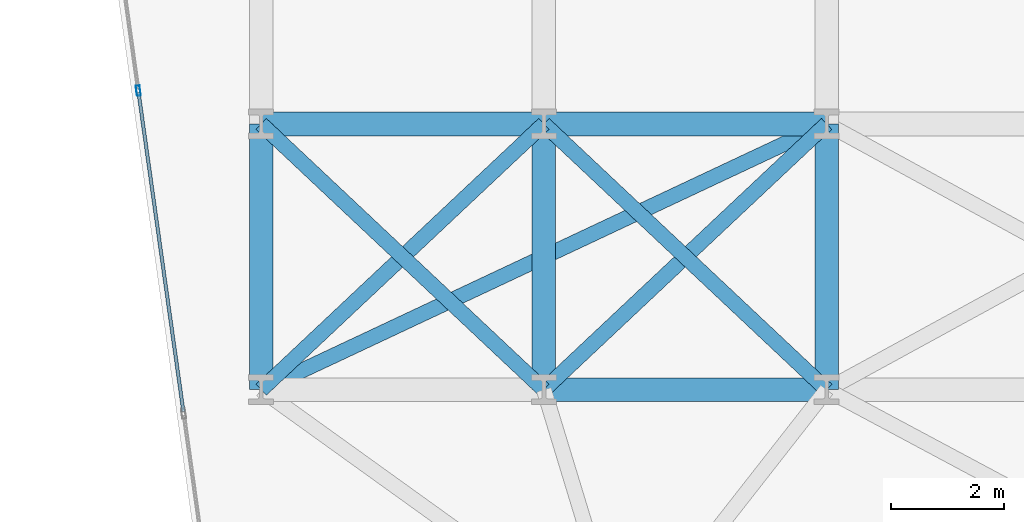
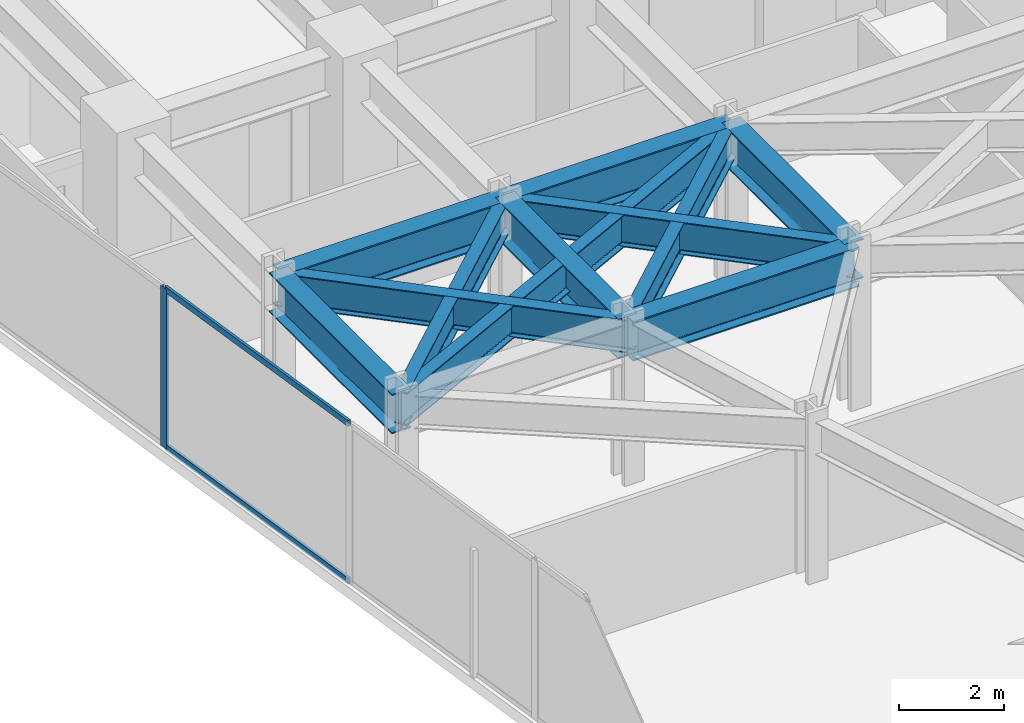
# One storey, part 8 of 24: 11 beams, 3 members, 1 element without a shape of its own.
"""IFC4 building model written with IfcOpenShell, lengths in metres."""

from ifc_helpers import new_model, si_unit, direction, frame, origin, origin_2d, place, context, subcontext, project, spatial, hollow_rectangle, i_section, extrude, material, layer, layer_set, material_profile, profile_set, type_object, element, aggregate, save


model = new_model("IFC4")

# Units and contexts
model_context = context("Model", 3, precision=1e-05, world=origin(), true_north=direction((0.0, 1.0)))
body_context = subcontext(model_context, "Body", "Model", "MODEL_VIEW")
ifc_project = project(units=[si_unit("LENGTHUNIT", "METRE"), si_unit("AREAUNIT", "SQUARE_METRE"), si_unit("VOLUMEUNIT", "CUBIC_METRE"), si_unit("PLANEANGLEUNIT", "RADIAN"), si_unit("MASSUNIT", "GRAM", prefix="KILO")], contexts=[model_context])

# Site, building, storey
site_placement = place(None, origin())
site = spatial("IfcSite", under=ifc_project, at=site_placement, CompositionType="ELEMENT")
building_placement = place(site_placement, origin())
building = spatial("IfcBuilding", under=site, at=building_placement, Name="Kravanh Interchange Tower", CompositionType="ELEMENT")
storey_placement = place(building_placement, frame((0.0, 0.0, 45.5)))
storey = spatial("IfcBuildingStorey", under=building, at=storey_placement, Name="L10", CompositionType="ELEMENT", Elevation=45.5)

# Curtain wall, members
ifc_material_1 = material(Name="Anodised Bronze Aluminium", Category="aluminium")
ifc_layer = layer(ifc_material_1, 0.179931640625)
ifc_layer_set = layer_set([ifc_layer], Name="Unitised Curtain Wall System CW-Z1 Lower Office")
curtain_wall_type = type_object("IfcCurtainWallType", Name="Unitised Curtain Wall System CW-Z1 Lower Office", PredefinedType="NOTDEFINED", material=ifc_layer_set)
curtain_wall_placement = place(storey_placement, origin())
curtain_wall = element("IfcCurtainWall", 1, at=curtain_wall_placement, inside=storey, type_object=curtain_wall_type, Name="L10 Unitised Curtain Wall CW-L10-01", PredefinedType="NOTDEFINED")
ifc_material_2 = material(Name="Anodised Bronze Aluminium", Category="aluminium")
ifc_material_profile_1 = material_profile(ifc_material_2, hollow_rectangle(XDim=0.070068359375, YDim=0.179931640625, WallThickness=0.00390625, at=origin_2d()), Name="ALU70X180X4")
ifc_profile_set_1 = profile_set([ifc_material_profile_1], Name="Anodised Bronze Aluminium")
member_type_1 = type_object("IfcMemberType", Name="Curtain Wall Mullion ALU70X180X4 Bronze", PredefinedType="MULLION", material=ifc_profile_set_1)
member_1_placement = place(storey_placement, frame((6.427490234375, 32.08935546875, 0.0), z_axis=(0.0, 0.0, 1.0), x_axis=(-0.990267585682, -0.139176538065, 0.0)))
member_1 = element("IfcMember", 2, at=member_1_placement, type_object=member_type_1, Name="CW-Z1 mullion 6", PredefinedType="MULLION", context=body_context, shape_type="SweptSolid", body=[
    extrude(hollow_rectangle(XDim=0.070068359375, YDim=0.179931640625, WallThickness=0.00390625, at=origin_2d()), origin(), (0.0, 0.0, 1.0), 3.739990234375),
])
ifc_material_3 = material(Name="Anodised Bronze Aluminium", Category="aluminium")
ifc_material_profile_2 = material_profile(ifc_material_3, hollow_rectangle(XDim=0.06005859375, YDim=0.139892578125, WallThickness=0.00390625, at=origin_2d()), Name="ALU60X140X4")
ifc_profile_set_2 = profile_set([ifc_material_profile_2], Name="Anodised Bronze Aluminium")
member_type_2 = type_object("IfcMemberType", Name="Curtain Wall Transom ALU60X140X4 Bronze", PredefinedType="USERDEFINED", material=ifc_profile_set_2)
member_2_placement = place(storey_placement, frame((7.22509765625, 26.41357421875, 0.030029296875), z_axis=(-0.139158957544, 0.990270056366, 0.0), x_axis=(-0.990270056366, -0.139158957544, 0.0)))
member_2 = element("IfcMember", 3, at=member_2_placement, type_object=member_type_2, Name="CW-Z1 transom 5.1", ObjectType="TRANSOM", PredefinedType="USERDEFINED", context=body_context, shape_type="SweptSolid", body=[
    extrude(hollow_rectangle(XDim=0.06005859375, YDim=0.139892578125, WallThickness=0.00390625, at=origin_2d()), origin(), (0.0, 0.0, 1.0), 5.696533203125),
])
member_3_placement = place(storey_placement, frame((7.22509765625, 26.41357421875, 3.7099609375), z_axis=(-0.139158957544, 0.990270056366, 0.0), x_axis=(-0.990270056366, -0.139158957544, 0.0)))
member_3 = element("IfcMember", 4, at=member_3_placement, type_object=member_type_2, Name="CW-Z1 transom 5.2", ObjectType="TRANSOM", PredefinedType="USERDEFINED", context=body_context, shape_type="SweptSolid", body=[
    extrude(hollow_rectangle(XDim=0.06005859375, YDim=0.139892578125, WallThickness=0.00390625, at=origin_2d()), origin(), (0.0, 0.0, 1.0), 5.696533203125),
])
aggregate(curtain_wall, [member_1, member_2, member_3])

# Beams
ifc_material_4 = material(Name="Structural Steel S355", Category="steel")
ifc_material_profile_3 = material_profile(ifc_material_4, i_section(OverallWidth=0.41796875, OverallDepth=0.927001953125, WebThickness=0.019287109375, FlangeThickness=0.031982421875, FilletRadius=0.028076171875, at=origin_2d()), Name="W36X231")
ifc_profile_set_3 = profile_set([ifc_material_profile_3], Name="Structural Steel S355")
beam_type_1 = type_object("IfcBeamType", Name="Floor Beam W36X231 Structural Steel S355", PredefinedType="BEAM", material=ifc_profile_set_3)
for number, where, z_axis, x_axis, name in (
    (5, (8.60009765625, 26.800048828125, 3.276611328125), (0.0, 1.0, 0.0), (-1.0, 0.0, 0.0), "L10 Primary Floor Girder 66"),
    (6, (13.60009765625, 26.800048828125, 3.276611328125), (0.0, 1.0, 0.0), (-1.0, 0.0, 0.0), "L10 Primary Floor Girder 70"),
):
    element("IfcBeam", number, at=place(storey_placement, frame(where, z_axis=z_axis, x_axis=x_axis)), inside=storey, type_object=beam_type_1, Name=name, PredefinedType="BEAM", context=body_context, shape_type="SweptSolid", body=[
        extrude(i_section(OverallWidth=0.41796875, OverallDepth=0.927001953125, WebThickness=0.019287109375, FlangeThickness=0.031982421875, FilletRadius=0.028076171875, at=origin_2d()), origin(), (0.0, 0.0, 1.0), 4.699951171875),
    ])
beam_1_placement = place(storey_placement, frame((13.60009765625, 26.800048828125, 3.276611328125), z_axis=(1.0, 0.0, 0.0), x_axis=(0.0, 1.0, 0.0)))
element("IfcBeam", 7, at=beam_1_placement, inside=storey, type_object=beam_type_1, Name="L10 Primary Floor Girder 71", PredefinedType="BEAM", context=body_context, shape_type="SweptSolid", body=[
    extrude(i_section(OverallWidth=0.41796875, OverallDepth=0.927001953125, WebThickness=0.019287109375, FlangeThickness=0.031982421875, FilletRadius=0.028076171875, at=origin_2d()), origin(), (0.0, 0.0, 1.0), 5.0),
])
beam_2_placement = place(storey_placement, frame((18.60009765625, 26.800048828125, 3.276611328125), z_axis=(0.0, 1.0, 0.0), x_axis=(-1.0, 0.0, 0.0)))
element("IfcBeam", 8, at=beam_2_placement, inside=storey, type_object=beam_type_1, Name="L10 Primary Floor Girder 74", PredefinedType="BEAM", context=body_context, shape_type="SweptSolid", body=[
    extrude(i_section(OverallWidth=0.41796875, OverallDepth=0.927001953125, WebThickness=0.019287109375, FlangeThickness=0.031982421875, FilletRadius=0.028076171875, at=origin_2d()), origin(), (0.0, 0.0, 1.0), 4.699951171875),
])
for number, where, z_axis, x_axis, name in (
    (9, (8.60009765625, 31.5, 3.276611328125), (1.0, 0.0, 0.0), (0.0, 1.0, 0.0), "L10 Primary Floor Girder 100"),
    (10, (13.60009765625, 31.5, 3.276611328125), (1.0, 0.0, 0.0), (0.0, 1.0, 0.0), "L10 Primary Floor Girder 101"),
):
    element("IfcBeam", number, at=place(storey_placement, frame(where, z_axis=z_axis, x_axis=x_axis)), inside=storey, type_object=beam_type_1, Name=name, PredefinedType="BEAM", context=body_context, shape_type="SweptSolid", body=[
        extrude(i_section(OverallWidth=0.41796875, OverallDepth=0.927001953125, WebThickness=0.019287109375, FlangeThickness=0.031982421875, FilletRadius=0.028076171875, at=origin_2d()), origin(), (0.0, 0.0, 1.0), 5.0),
    ])
ifc_material_5 = material(Name="Structural Steel S355", Category="steel")
ifc_material_profile_4 = material_profile(ifc_material_5, i_section(OverallWidth=0.26708984375, OverallDepth=0.761962890625, WebThickness=0.014404296875, FlangeThickness=0.021484375, FilletRadius=0.02490234375, at=origin_2d()), Name="W30X116")
ifc_profile_set_4 = profile_set([ifc_material_profile_4], Name="Structural Steel S355")
beam_type_2 = type_object("IfcBeamType", Name="Floor Spandrel W30X116 Structural Steel S355", PredefinedType="SPANDREL", material=ifc_profile_set_4)
beam_3_placement = place(storey_placement, frame((8.60009765625, 26.800048828125, 3.35888671875), z_axis=(0.728631219862, 0.684906231131, 0.0), x_axis=(-0.684906231131, 0.728631219862, 0.0)))
element("IfcBeam", 11, at=beam_3_placement, inside=storey, type_object=beam_type_2, Name="L10 Perimeter Spandrel 68", PredefinedType="SPANDREL", context=body_context, shape_type="SweptSolid", body=[
    extrude(i_section(OverallWidth=0.26708984375, OverallDepth=0.761962890625, WebThickness=0.014404296875, FlangeThickness=0.021484375, FilletRadius=0.02490234375, at=origin_2d()), origin(), (0.0, 0.0, 1.0), 6.862060546875),
])
beam_4_placement = place(storey_placement, frame((8.60009765625, 26.800048828125, 3.35888671875), z_axis=(0.905025402916, 0.425357520301, 0.0), x_axis=(-0.425357520301, 0.905025402916, 0.0)))
element("IfcBeam", 12, at=beam_4_placement, inside=storey, type_object=beam_type_2, Name="L10 Perimeter Spandrel 69", PredefinedType="SPANDREL", context=body_context, shape_type="SweptSolid", body=[
    extrude(i_section(OverallWidth=0.26708984375, OverallDepth=0.761962890625, WebThickness=0.014404296875, FlangeThickness=0.021484375, FilletRadius=0.02490234375, at=origin_2d()), origin(), (0.0, 0.0, 1.0), 11.04931640625),
])
for number, where, z_axis, x_axis, name in (
    (13, (13.60009765625, 26.800048828125, 3.35888671875), (-0.728631219862, 0.684906231131, 0.0), (-0.684906231131, -0.728631219862, 0.0), "L10 Perimeter Spandrel 72"),
    (14, (13.60009765625, 26.800048828125, 3.35888671875), (0.728631219862, 0.684906231131, 0.0), (-0.684906231131, 0.728631219862, 0.0), "L10 Perimeter Spandrel 73"),
    (15, (18.60009765625, 26.800048828125, 3.35888671875), (-0.728631219862, 0.684906231131, 0.0), (-0.684906231131, -0.728631219862, 0.0), "L10 Perimeter Spandrel 75"),
):
    element("IfcBeam", number, at=place(storey_placement, frame(where, z_axis=z_axis, x_axis=x_axis)), inside=storey, type_object=beam_type_2, Name=name, PredefinedType="SPANDREL", context=body_context, shape_type="SweptSolid", body=[
        extrude(i_section(OverallWidth=0.26708984375, OverallDepth=0.761962890625, WebThickness=0.014404296875, FlangeThickness=0.021484375, FilletRadius=0.02490234375, at=origin_2d()), origin(), (0.0, 0.0, 1.0), 6.862060546875),
    ])

save(model, "model.ifc")
